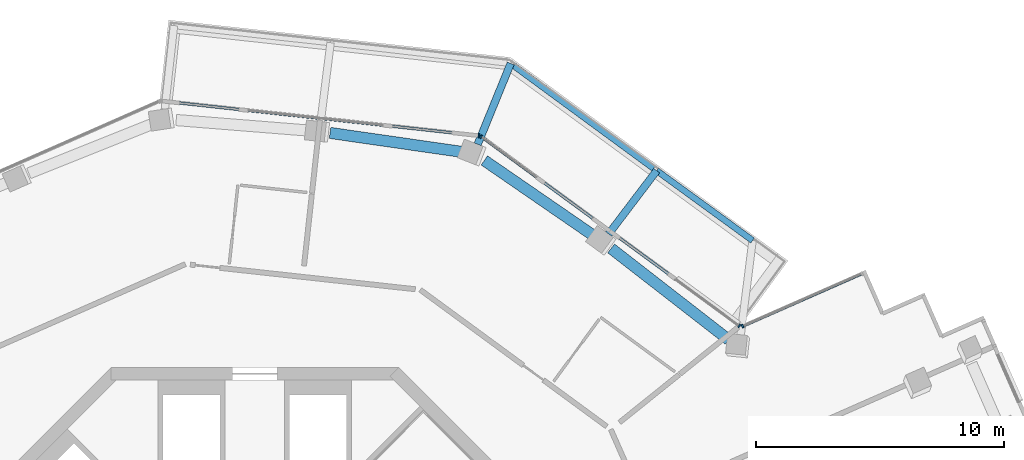
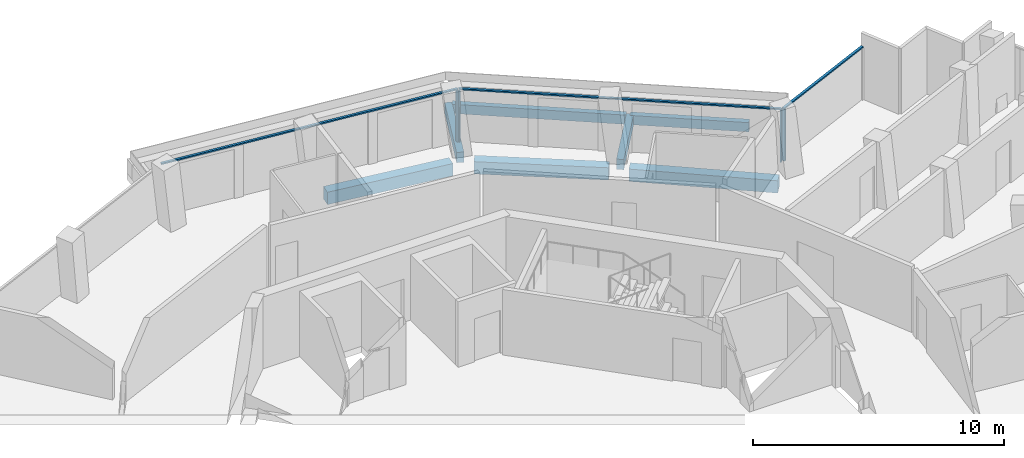
# One storey, part 9 of 22: 7 beams, 7 members, 3 elements without a shape of their own.
"""IFC4 building model written with IfcOpenShell, lengths in metres."""

from ifc_helpers import new_model, si_unit, direction, frame, origin, origin_2d, place, context, subcontext, project, spatial, rectangle, extrude, material, layer, layer_set, material_profile, profile_set, type_object, element, aggregate, save


model = new_model("IFC4")

# Units and contexts
model_context = context("Model", 3, precision=1e-05, world=origin(), true_north=direction((0.0, 1.0)))
body_context = subcontext(model_context, "Body", "Model", "MODEL_VIEW")
ifc_project = project(units=[si_unit("LENGTHUNIT", "METRE"), si_unit("AREAUNIT", "SQUARE_METRE"), si_unit("VOLUMEUNIT", "CUBIC_METRE"), si_unit("PLANEANGLEUNIT", "RADIAN"), si_unit("MASSUNIT", "GRAM", prefix="KILO")], contexts=[model_context])

# Site, building, storey
site_placement = place(None, origin())
site = spatial("IfcSite", under=ifc_project, at=site_placement, CompositionType="ELEMENT")
building_placement = place(site_placement, origin())
building = spatial("IfcBuilding", under=site, at=building_placement, Name="Verdalira Terraces Hotel", CompositionType="ELEMENT")
storey_placement = place(building_placement, frame((0.0, 0.0, 252.5)))
storey = spatial("IfcBuildingStorey", under=building, at=storey_placement, Name="L62", CompositionType="ELEMENT", Elevation=252.5)

# Beams
ifc_material_1 = material(Name="Concrete C40", Category="concrete")
ifc_material_profile_1 = material_profile(ifc_material_1, rectangle(XDim=0.300049, YDim=0.5, at=origin_2d()), Name="RC 300X500")
ifc_profile_set_1 = profile_set([ifc_material_profile_1], Name="Concrete C40")
beam_type_1 = type_object("IfcBeamType", Name="Balcony cantilever beam RC 300X500 C40", PredefinedType="BEAM", material=ifc_profile_set_1)
beam_1_placement = place(storey_placement, frame((14.249756, 19.383789, -0.560059), z_axis=(0.60461516, 0.796517739, 0.0), x_axis=(-0.796517739, 0.60461516, 0.0)))
element("IfcBeam", 1, at=beam_1_placement, inside=storey, type_object=beam_type_1, Name="Balcony cantilever beam R39-2", PredefinedType="BEAM", context=body_context, shape_type="SweptSolid", body=[
    extrude(rectangle(XDim=0.300049, YDim=0.5, at=origin_2d()), origin(), (0.0, 0.0, 1.0), 3.200928),
])
beam_2_placement = place(storey_placement, frame((8.975342, 22.996094, -0.560059), z_axis=(0.37781075, 0.925882842, 0.0), x_axis=(-0.925882842, 0.37781075, 0.0)))
element("IfcBeam", 2, at=beam_2_placement, inside=storey, type_object=beam_type_1, Name="Balcony cantilever beam R39-3", PredefinedType="BEAM", context=body_context, shape_type="SweptSolid", body=[
    extrude(rectangle(XDim=0.300049, YDim=0.5, at=origin_2d()), origin(), (0.0, 0.0, 1.0), 3.515869),
])
ifc_material_2 = material(Name="Concrete C40", Category="concrete")
ifc_material_profile_2 = material_profile(ifc_material_2, rectangle(XDim=0.25, YDim=0.449951, at=origin_2d()), Name="RC 250X450")
ifc_profile_set_2 = profile_set([ifc_material_profile_2], Name="Concrete C40")
beam_type_2 = type_object("IfcBeamType", Name="Balcony edge beam RC 250X450 C40", PredefinedType="BEAM", material=ifc_profile_set_2)
beam_3_placement = place(storey_placement, frame((20.047607, 19.120605, -0.534912), z_axis=(-0.808375781, 0.588666796, 0.0), x_axis=(-0.588666796, -0.808375781, 0.0)))
element("IfcBeam", 3, at=beam_3_placement, inside=storey, type_object=beam_type_2, Name="Balcony edge beam R39-1", PredefinedType="BEAM", context=body_context, shape_type="SweptSolid", body=[
    extrude(rectangle(XDim=0.25, YDim=0.449951, at=origin_2d()), origin(), (0.0, 0.0, 1.0), 4.778076),
])
beam_4_placement = place(storey_placement, frame((16.063965, 22.022217, -0.534912), z_axis=(-0.806064036, 0.591828328, 0.0), x_axis=(-0.591828328, -0.806064036, 0.0)))
element("IfcBeam", 4, at=beam_4_placement, inside=storey, type_object=beam_type_2, Name="Balcony edge beam R39-2", PredefinedType="BEAM", context=body_context, shape_type="SweptSolid", body=[
    extrude(rectangle(XDim=0.25, YDim=0.449951, at=origin_2d()), origin(), (0.0, 0.0, 1.0), 6.991455),
])

# Curtain wall, members
ifc_material_3 = material(Name="Clear glass", Category="glass")
ifc_layer_1 = layer(ifc_material_3, 0.14990234375)
ifc_layer_set_1 = layer_set([ifc_layer_1], Name="CW1 curtain wall")
curtain_wall_type_1 = type_object("IfcCurtainWallType", Name="CW1 curtain wall", PredefinedType="NOTDEFINED", material=ifc_layer_set_1)
curtain_wall_1_placement = place(storey_placement, origin())
curtain_wall_1 = element("IfcCurtainWall", 5, at=curtain_wall_1_placement, inside=storey, type_object=curtain_wall_type_1, Name="CW1 curtain wall L62 edge 39", PredefinedType="NOTDEFINED")
ifc_material_4 = material(Name="Terracotta frame", Category="masonry")
ifc_material_profile_3 = material_profile(ifc_material_4, rectangle(XDim=0.060059, YDim=0.149902, at=origin_2d()), Name="MU 60x150")
ifc_profile_set_3 = profile_set([ifc_material_profile_3], Name="Terracotta frame")
member_type_1 = type_object("IfcMemberType", Name="CW1 mullion 60x150", PredefinedType="MULLION", material=ifc_profile_set_3)
member_1_placement = place(storey_placement, frame((19.514893, 15.680176, 0.0), z_axis=(0.0, 0.0, 1.0), x_axis=(-0.806547795, 0.591168888, 0.0)))
member_1 = element("IfcMember", 6, at=member_1_placement, type_object=member_type_1, Name="CW1 mullion", PredefinedType="MULLION", context=body_context, shape_type="SweptSolid", body=[
    extrude(rectangle(XDim=0.060059, YDim=0.149902, at=origin_2d()), origin(), (0.0, 0.0, 1.0), 2.524902),
])
member_2_placement = place(storey_placement, frame((9.110596, 23.306152, 0.0), z_axis=(0.0, 0.0, 1.0), x_axis=(-0.806547795, 0.591168888, 0.0)))
member_2 = element("IfcMember", 7, at=member_2_placement, type_object=member_type_1, Name="CW1 mullion", PredefinedType="MULLION", context=body_context, shape_type="SweptSolid", body=[
    extrude(rectangle(XDim=0.060059, YDim=0.149902, at=origin_2d()), origin(), (0.0, 0.0, 1.0), 2.524902),
])

# Curtain wall, member
curtain_wall_2_placement = place(storey_placement, origin())
curtain_wall_2 = element("IfcCurtainWall", 8, at=curtain_wall_2_placement, inside=storey, type_object=curtain_wall_type_1, Name="CW1 curtain wall L62 edge 40", PredefinedType="NOTDEFINED")
member_3_placement = place(storey_placement, frame((9.020264, 23.341064, 0.0), z_axis=(0.0, 0.0, 1.0), x_axis=(-0.994075324, 0.108693378, 0.0)))
member_3 = element("IfcMember", 9, at=member_3_placement, type_object=member_type_1, Name="CW1 mullion", PredefinedType="MULLION", context=body_context, shape_type="SweptSolid", body=[
    extrude(rectangle(XDim=0.060059, YDim=0.149902, at=origin_2d()), origin(), (0.0, 0.0, 1.0), 2.524902),
])

# Member
ifc_material_5 = material(Name="Terracotta frame", Category="masonry")
ifc_material_profile_4 = material_profile(ifc_material_5, rectangle(XDim=0.110107, YDim=0.064941, at=origin_2d()), Name="TR 65x110")
ifc_profile_set_4 = profile_set([ifc_material_profile_4], Name="Terracotta frame")
member_type_2 = type_object("IfcMemberType", Name="CW1 transom 65x110", PredefinedType="USERDEFINED", material=ifc_profile_set_4)
member_4_placement = place(storey_placement, frame((19.539062, 15.662354, 2.557617), z_axis=(-0.806554695, 0.591159474, 0.0), x_axis=(-0.591159474, -0.806554695, 0.0)))
member_4 = element("IfcMember", 10, at=member_4_placement, type_object=member_type_2, Name="CW1 transom", ObjectType="TRANSOM", PredefinedType="USERDEFINED", context=body_context, shape_type="SweptSolid", body=[
    extrude(rectangle(XDim=0.110107, YDim=0.064941, at=origin_2d()), origin(), (0.0, 0.0, 1.0), 12.959961),
])

aggregate(curtain_wall_1, [member_1, member_2, member_4])

member_5_placement = place(storey_placement, frame((9.050049, 23.337891, 2.557617), z_axis=(-0.994075106, 0.108695371, 0.0), x_axis=(-0.108695371, -0.994075106, 0.0)))
member_5 = element("IfcMember", 11, at=member_5_placement, type_object=member_type_2, Name="CW1 transom", ObjectType="TRANSOM", PredefinedType="USERDEFINED", context=body_context, shape_type="SweptSolid", body=[
    extrude(rectangle(XDim=0.110107, YDim=0.064941, at=origin_2d()), origin(), (0.0, 0.0, 1.0), 12.919678),
])

aggregate(curtain_wall_2, [member_3, member_5])

# Curtain wall, members
ifc_material_6 = material(Name="Clear glass", Category="glass")
ifc_layer_2 = layer(ifc_material_6, 0.14990234375)
ifc_layer_set_2 = layer_set([ifc_layer_2], Name="CW2 curtain wall")
curtain_wall_type_2 = type_object("IfcCurtainWallType", Name="CW2 curtain wall", PredefinedType="NOTDEFINED", material=ifc_layer_set_2)
curtain_wall_3_placement = place(storey_placement, origin())
curtain_wall_3 = element("IfcCurtainWall", 12, at=curtain_wall_3_placement, inside=storey, type_object=curtain_wall_type_2, Name="CW2 curtain wall L62 edge 38", PredefinedType="NOTDEFINED")
ifc_material_7 = material(Name="Terracotta frame", Category="masonry")
ifc_material_profile_5 = material_profile(ifc_material_7, rectangle(XDim=0.070068, YDim=0.149902, at=origin_2d()), Name="MU 70x150")
ifc_profile_set_5 = profile_set([ifc_material_profile_5], Name="Terracotta frame")
member_type_3 = type_object("IfcMemberType", Name="CW2 mullion 70x150", PredefinedType="MULLION", material=ifc_profile_set_5)
member_6_placement = place(storey_placement, frame((19.645508, 15.668457, 0.0), z_axis=(0.0, 0.0, 1.0), x_axis=(-0.915241173, -0.402906436, 0.0)))
member_6 = element("IfcMember", 13, at=member_6_placement, type_object=member_type_3, Name="CW2 mullion", PredefinedType="MULLION", context=body_context, shape_type="SweptSolid", body=[
    extrude(rectangle(XDim=0.070068, YDim=0.149902, at=origin_2d()), origin(), (0.0, 0.0, 1.0), 2.524902),
])
ifc_material_8 = material(Name="Terracotta frame", Category="masonry")
ifc_material_profile_6 = material_profile(ifc_material_8, rectangle(XDim=0.11499, YDim=0.064941, at=origin_2d()), Name="TR 65x115")
ifc_profile_set_6 = profile_set([ifc_material_profile_6], Name="Terracotta frame")
member_type_4 = type_object("IfcMemberType", Name="CW2 transom 65x115", PredefinedType="USERDEFINED", material=ifc_profile_set_6)
member_7_placement = place(storey_placement, frame((24.48877, 17.800537, 2.557617), z_axis=(-0.91523662, -0.402916777, 0.0), x_axis=(0.402916777, -0.91523662, 0.0)))
member_7 = element("IfcMember", 14, at=member_7_placement, type_object=member_type_4, Name="CW2 transom", ObjectType="TRANSOM", PredefinedType="USERDEFINED", context=body_context, shape_type="SweptSolid", body=[
    extrude(rectangle(XDim=0.11499, YDim=0.064941, at=origin_2d()), origin(), (0.0, 0.0, 1.0), 5.32666),
])
aggregate(curtain_wall_3, [member_6, member_7])

# Beams
ifc_material_9 = material(Name="Concrete C40", Category="concrete")
ifc_material_profile_7 = material_profile(ifc_material_9, rectangle(XDim=0.449951, YDim=0.600098, at=origin_2d()), Name="RC 450X600")
ifc_profile_set_7 = profile_set([ifc_material_profile_7], Name="Concrete C40")
beam_type_3 = type_object("IfcBeamType", Name="Spandrel beam RC 450X600 C40", PredefinedType="SPANDREL", material=ifc_profile_set_7)
beam_5_placement = place(storey_placement, frame((19.085938, 15.119385, -0.610107), z_axis=(-0.789569083, 0.613661685, 0.0), x_axis=(-0.613661685, -0.789569083, 0.0)))
element("IfcBeam", 15, at=beam_5_placement, inside=storey, type_object=beam_type_3, Name="Spandrel beam B18", PredefinedType="SPANDREL", context=body_context, shape_type="SweptSolid", body=[
    extrude(rectangle(XDim=0.449951, YDim=0.600098, at=origin_2d()), origin(), (0.0, 0.0, 1.0), 5.999756),
])
beam_6_placement = place(storey_placement, frame((13.684814, 19.286621, -0.610107), z_axis=(-0.823657458, 0.56708764, 0.0), x_axis=(-0.56708764, -0.823657458, 0.0)))
element("IfcBeam", 16, at=beam_6_placement, inside=storey, type_object=beam_type_3, Name="Spandrel beam B19", PredefinedType="SPANDREL", context=body_context, shape_type="SweptSolid", body=[
    extrude(rectangle(XDim=0.449951, YDim=0.600098, at=origin_2d()), origin(), (0.0, 0.0, 1.0), 5.394287),
])
beam_7_placement = place(storey_placement, frame((8.369385, 22.684814, -0.610107), z_axis=(-0.989795101, 0.142497924, 0.0), x_axis=(-0.142497924, -0.989795101, 0.0)))
element("IfcBeam", 17, at=beam_7_placement, inside=storey, type_object=beam_type_3, Name="Spandrel beam B20", PredefinedType="SPANDREL", context=body_context, shape_type="SweptSolid", body=[
    extrude(rectangle(XDim=0.449951, YDim=0.600098, at=origin_2d()), origin(), (0.0, 0.0, 1.0), 5.396973),
])

save(model, "model.ifc")
